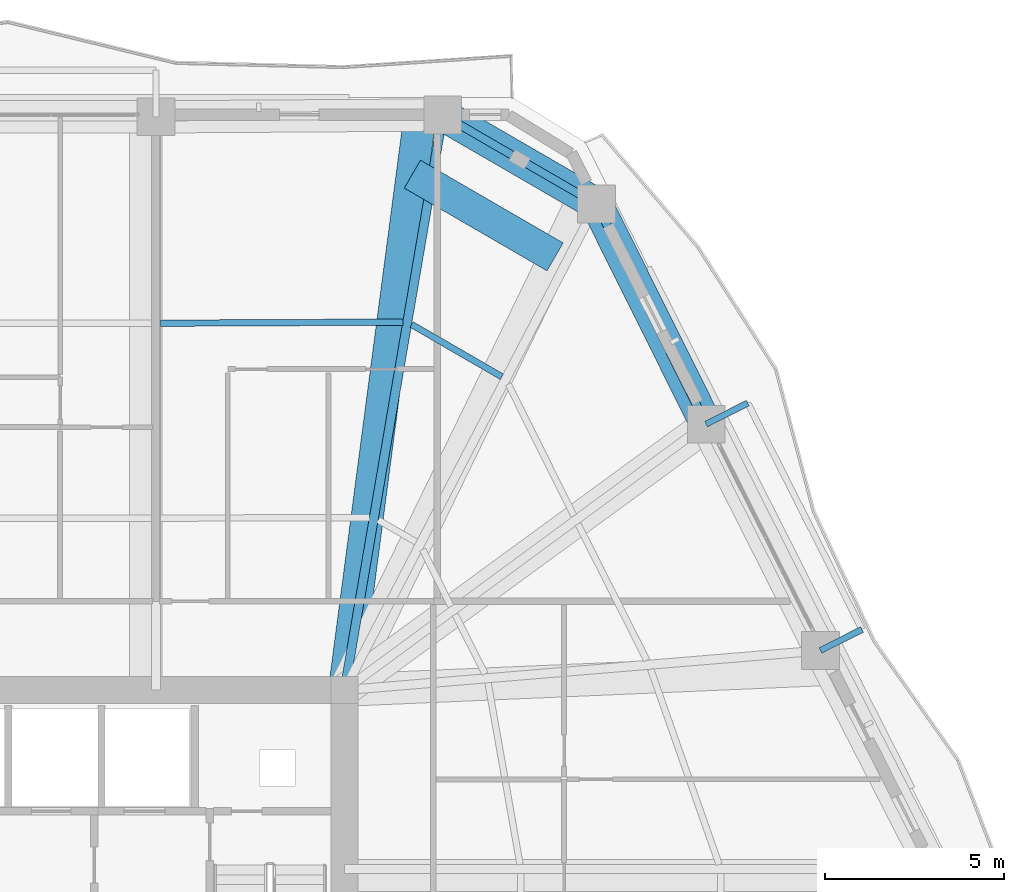
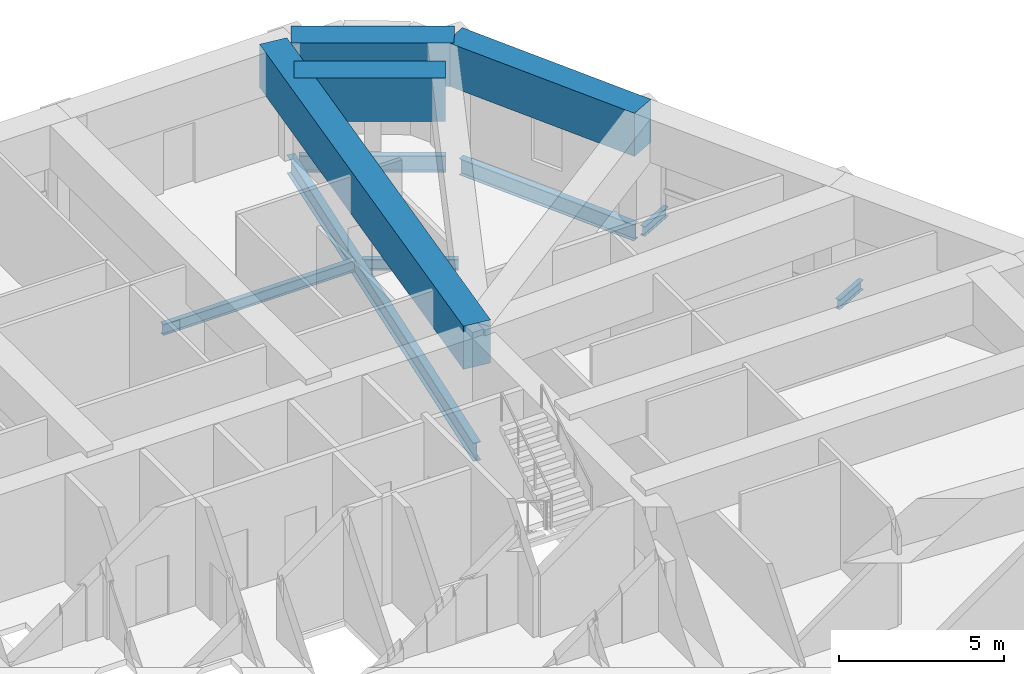
# One storey, part 11 of 23: 11 beams.
"""IFC4 building model written with IfcOpenShell, lengths in metres."""

import ifcopenshell
import ifcopenshell.guid

model = None  # the IFC model being written
_history = None  # IfcOwnerHistory: only IFC2X3 demands one
_inside = {}  # id of a spatial element -> (the spatial element, [elements in it])
_under = {}  # id of a project, library or spatial element -> (it, [spatial elements below it])
_declared = {}  # id of a project -> (the project, [libraries it declares])
_typed = {}  # id of a type object -> (the type object, [elements of that type])
_made_of = {}  # id of a material, layer set ... -> (it, [elements and type objects made of it])


def new_model(schema):
    """Start an empty IFC model of exactly this schema.

    Asked for "IFC4X3", IfcOpenShell would pick the latest addendum, in which some entities
    have other attributes; the version numbers below select the first issue.
    IFC2X3 requires an IfcOwnerHistory on every rooted entity: one is made here for all.
    """
    global model, _history
    if schema == "IFC4X3":
        model = ifcopenshell.file(schema_version=(4, 3, 0, 0))
    else:
        model = ifcopenshell.file(schema=schema)
    _inside.clear()
    _under.clear()
    _declared.clear()
    _typed.clear()
    _made_of.clear()
    _history = None
    if model.schema == "IFC2X3":
        org = make("IfcOrganization", Name="unknown")
        user = make(
            "IfcPersonAndOrganization",
            ThePerson=make("IfcPerson", FamilyName="unknown"),
            TheOrganization=org,
        )
        app = make(
            "IfcApplication",
            ApplicationDeveloper=org,
            Version="unknown",
            ApplicationFullName="unknown",
            ApplicationIdentifier="unknown",
        )
        _history = make(
            "IfcOwnerHistory",
            OwningUser=user,
            OwningApplication=app,
            ChangeAction="ADDED",
            CreationDate=0,
        )
    return model


def make(cls, **values):
    """One entity of the class cls with the attributes given. An attribute that is None is left unset."""
    return model.create_entity(
        cls, **{name: value for name, value in values.items() if value is not None}
    )


def rooted(cls, **values):
    """An entity with a GlobalId (a new one), such as an element, a storey or a relation."""
    return make(cls, GlobalId=ifcopenshell.guid.new(), OwnerHistory=_history, **values)


def si_unit(unit_type, name, prefix=None):
    """IfcSIUnit, for example si_unit("LENGTHUNIT", "METRE", prefix="MILLI")."""
    return make("IfcSIUnit", UnitType=unit_type, Prefix=prefix, Name=name)


def assignment(units):
    """IfcUnitAssignment: the units of a project."""
    return None if units is None else make("IfcUnitAssignment", Units=units)


def point(xyz):
    """IfcCartesianPoint."""
    return None if xyz is None else make("IfcCartesianPoint", Coordinates=xyz)


def direction(xyz):
    """IfcDirection."""
    return None if xyz is None else make("IfcDirection", DirectionRatios=xyz)


def frame(location, z_axis=None, x_axis=None):
    """IfcAxis2Placement3D, a coordinate frame: its origin and axes. An axis left out is left unset."""
    return make(
        "IfcAxis2Placement3D",
        Location=point(location),
        Axis=direction(z_axis),
        RefDirection=direction(x_axis),
    )


def frame_2d(location, x_axis=None):
    """IfcAxis2Placement2D, a coordinate frame in the plane: its origin and x axis."""
    return make(
        "IfcAxis2Placement2D", Location=point(location), RefDirection=direction(x_axis)
    )


def origin():
    """The frame at (0, 0, 0) with its axes left unset."""
    return frame((0.0, 0.0, 0.0))


def origin_2d():
    """The frame at (0, 0) in the plane with its x axis left unset."""
    return frame_2d((0.0, 0.0))


def place(relative_to, where):
    """IfcLocalPlacement: puts the frame where relative to a parent placement (None: the world)."""
    return make(
        "IfcLocalPlacement", PlacementRelTo=relative_to, RelativePlacement=where
    )


def context(
    kind, dimensions, precision=None, world=None, true_north=None, identifier=None
):
    """IfcGeometricRepresentationContext, for example the 3D "Model" context."""
    return make(
        "IfcGeometricRepresentationContext",
        ContextIdentifier=identifier,
        ContextType=kind,
        CoordinateSpaceDimension=dimensions,
        Precision=precision,
        WorldCoordinateSystem=world,
        TrueNorth=true_north,
    )


def subcontext(parent, identifier, kind, view, scale=None):
    """IfcGeometricRepresentationSubContext, for example "Body" below "Model"."""
    return make(
        "IfcGeometricRepresentationSubContext",
        ContextIdentifier=identifier,
        ContextType=kind,
        ParentContext=parent,
        TargetScale=scale,
        TargetView=view,
    )


def project(units=None, contexts=None):
    """IfcProject with its units and contexts."""
    return rooted(
        "IfcProject",
        Name="project",
        RepresentationContexts=contexts,
        UnitsInContext=assignment(units),
    )


def spatial(cls, under=None, at=None, **own):
    """A site, building, storey or space (cls), placed at a placement, below another one or the project."""
    s = rooted(cls, ObjectPlacement=at, **own)
    if under is not None:
        _under.setdefault(under.id(), (under, []))[1].append(s)
    return s


def profile(cls, at=None, kind="AREA", **sizes):
    """A parametric profile (cls). Its sizes go by their IFC names, for example OverallWidth=200.0."""
    return make(cls, ProfileType=kind, Position=at, **sizes)


def rectangle(**sizes):
    """IfcRectangleProfileDef."""
    return profile("IfcRectangleProfileDef", **sizes)


def i_section(**sizes):
    """IfcIShapeProfileDef."""
    return profile("IfcIShapeProfileDef", **sizes)


def extrude(swept, where, along, depth):
    """IfcExtrudedAreaSolid: the profile swept, set in the frame where, extruded along a direction by depth."""
    return make(
        "IfcExtrudedAreaSolid",
        SweptArea=swept,
        Position=where,
        ExtrudedDirection=direction(along),
        Depth=depth,
    )


def shape(context_of_items, identifier, shape_type, items):
    """IfcShapeRepresentation: the items that make up one representation, for example the "Body"."""
    return make(
        "IfcShapeRepresentation",
        ContextOfItems=context_of_items,
        RepresentationIdentifier=identifier,
        RepresentationType=shape_type,
        Items=items,
    )


def material(Name=None, Category=None):
    """IfcMaterial."""
    return make("IfcMaterial", Name=Name, Category=Category)


def material_profile(
    of_material, cross_section, Name=None, Category=None, Priority=None
):
    """IfcMaterialProfile: a cross section and its material."""
    return make(
        "IfcMaterialProfile",
        Name=Name,
        Material=of_material,
        Profile=cross_section,
        Priority=Priority,
        Category=Category,
    )


def profile_set(profiles, Name=None, composite=None):
    """IfcMaterialProfileSet."""
    return make(
        "IfcMaterialProfileSet",
        Name=Name,
        MaterialProfiles=profiles,
        CompositeProfile=composite,
    )


def made_of(thing, what):
    """Note that an element or type object is made of a material, layer set ...; save() writes the relation."""
    if what is not None:
        _made_of.setdefault(what.id(), (what, []))[1].append(thing)
    return thing


def type_object(cls, material=None, **own):
    """A type object (cls), such as IfcWallType, which elements share."""
    return made_of(rooted(cls, **own), material)


def element(
    cls,
    number,
    at=None,
    inside=None,
    cuts=None,
    type_object=None,
    material=None,
    context=None,
    identifier="Body",
    shape_type=None,
    held_by="IfcProductDefinitionShape",
    body=None,
    shapes=None,
    **own,
):
    """One element of the class cls, such as IfcWall. Its Tag is "e" and its number.

    at: its placement. inside: the storey or other place that contains it. cuts: it is an
    opening in that element (IfcRelVoidsElement). A single representation is given by context,
    identifier, shape_type and body (its items); several are given by shapes. held_by: the class
    of the entity that holds the representations. save() writes the other relations.
    """
    e = rooted(cls, Tag="e%d" % number, ObjectPlacement=at, **own)
    if body is not None:
        shapes = [shape(context, identifier, shape_type, body)]
    if shapes is not None:
        e.Representation = make(held_by, Representations=shapes)
    if inside is not None:
        _inside.setdefault(inside.id(), (inside, []))[1].append(e)
    if cuts is not None:
        rooted(
            "IfcRelVoidsElement", RelatingBuildingElement=cuts, RelatedOpeningElement=e
        )
    if type_object is not None:
        _typed.setdefault(type_object.id(), (type_object, []))[1].append(e)
    return made_of(e, material)


def aggregate(whole, parts):
    """IfcRelAggregates: a whole, such as a stair, and the parts it consists of."""
    return rooted("IfcRelAggregates", RelatingObject=whole, RelatedObjects=parts)


def save(model, path):
    """Write the relations noted so far, then the file.

    IfcRelAggregates (storeys below a building ...), IfcRelContainedInSpatialStructure (elements
    in a storey), IfcRelDefinesByType, IfcRelAssociatesMaterial and IfcRelDeclares: one each for
    every whole, place, type object, material and project.
    """
    for whole, parts in _under.values():
        aggregate(whole, parts)
    for where, things in _inside.values():
        rooted(
            "IfcRelContainedInSpatialStructure",
            RelatedElements=things,
            RelatingStructure=where,
        )
    for kind, things in _typed.values():
        rooted("IfcRelDefinesByType", RelatedObjects=things, RelatingType=kind)
    for what, things in _made_of.values():
        rooted("IfcRelAssociatesMaterial", RelatedObjects=things, RelatingMaterial=what)
    for by, libraries in _declared.values():
        rooted("IfcRelDeclares", RelatingContext=by, RelatedDefinitions=libraries)
    model.write(path)


model = new_model("IFC4")

# Units and contexts
model_context = context("Model", 3, precision=1e-05, world=origin(), true_north=direction((0.0, 1.0)))
body_context = subcontext(model_context, "Body", "Model", "MODEL_VIEW")
ifc_project = project(units=[si_unit("LENGTHUNIT", "METRE"), si_unit("AREAUNIT", "SQUARE_METRE"), si_unit("VOLUMEUNIT", "CUBIC_METRE"), si_unit("PLANEANGLEUNIT", "RADIAN"), si_unit("MASSUNIT", "GRAM", prefix="KILO")], contexts=[model_context])

# Site, building, storey
site_placement = place(None, origin())
site = spatial("IfcSite", under=ifc_project, at=site_placement, CompositionType="ELEMENT")
building_placement = place(site_placement, origin())
building = spatial("IfcBuilding", under=site, at=building_placement, Name="Cinnabar Lancet Tower", CompositionType="ELEMENT")
storey_placement = place(building_placement, frame((0.0, 0.0, 94.199951171875)))
storey = spatial("IfcBuildingStorey", under=building, at=storey_placement, Name="L24", CompositionType="ELEMENT", Elevation=94.199951171875)

# Beams
ifc_material_1 = material(Name="Concrete C70/85", Category="concrete")
ifc_material_profile_1 = material_profile(ifc_material_1, rectangle(XDim=0.89990234375, YDim=1.60009765625, at=origin_2d()), Name="RC-BG 900x1600")
ifc_profile_set_1 = profile_set([ifc_material_profile_1], Name="Concrete C70/85")
beam_type_1 = type_object("IfcBeamType", Name="STR-BM-BG-1600", PredefinedType="BEAM", material=ifc_profile_set_1)
beam_1_placement = place(storey_placement, frame((51.85888671875, 40.69091796875, 3.400146484375), z_axis=(-0.445802654818, 0.895131271355, 0.0), x_axis=(-0.895131271355, -0.445802654818, 0.0)))
element("IfcBeam", 1, at=beam_1_placement, inside=storey, type_object=beam_type_1, Name="L25 Setback Outer Ring Girder 11", PredefinedType="BEAM", context=body_context, shape_type="SweptSolid", body=[
    extrude(rectangle(XDim=0.89990234375, YDim=1.60009765625, at=origin_2d()), origin(), (0.0, 0.0, 1.0), 6.854736328125),
])
beam_2_placement = place(storey_placement, frame((48.802978515625, 46.826904296875, 3.400146484375), z_axis=(-0.865178737992, 0.501463609175, 0.0), x_axis=(-0.501463609175, -0.865178737992, 0.0)))
element("IfcBeam", 2, at=beam_2_placement, inside=storey, type_object=beam_type_1, Name="L25 Setback Outer Ring Girder 12", PredefinedType="BEAM", context=body_context, shape_type="SweptSolid", body=[
    extrude(rectangle(XDim=0.89990234375, YDim=1.60009765625, at=origin_2d()), origin(), (0.0, 0.0, 1.0), 4.953857421875),
])
beam_3_placement = place(storey_placement, frame((43.884033203125, 49.291015625, 3.400146484375), z_axis=(-0.13056084779, -0.991440298265, 0.0), x_axis=(0.991440298265, -0.13056084779, 0.0)))
element("IfcBeam", 3, at=beam_3_placement, inside=storey, type_object=beam_type_1, Name="L25 Setback Continuous Radial Transfer Girder 13", PredefinedType="BEAM", context=body_context, shape_type="SweptSolid", body=[
    extrude(rectangle(XDim=0.89990234375, YDim=1.60009765625, at=origin_2d()), origin(), (0.0, 0.0, 1.0), 16.154296875),
])
beam_4_placement = place(storey_placement, frame((47.64892578125, 45.35400390625, 3.400146484375), z_axis=(-0.865173038967, 0.501473441614, 0.0), x_axis=(-0.501473441614, -0.865173038967, 0.0)))
element("IfcBeam", 4, at=beam_4_placement, inside=storey, type_object=beam_type_1, Name="L25 Setback Pilaster Transfer Chord 4", PredefinedType="BEAM", context=body_context, shape_type="SweptSolid", body=[
    extrude(rectangle(XDim=0.89990234375, YDim=1.60009765625, at=origin_2d()), origin(), (0.0, 0.0, 1.0), 4.60009765625),
])
ifc_material_2 = material(Name="Structural steel S355", Category="steel")
ifc_material_profile_2 = material_profile(ifc_material_2, i_section(OverallWidth=0.177978515625, OverallDepth=0.406494140625, WebThickness=0.0078125, FlangeThickness=0.0126953125, FilletRadius=0.01025390625, at=origin_2d()), Name="UKB 406x178x60")
ifc_profile_set_2 = profile_set([ifc_material_profile_2], Name="Structural steel S355")
beam_type_2 = type_object("IfcBeamType", Name="STR-BM-JST-406", PredefinedType="JOIST", material=ifc_profile_set_2)
beam_5_placement = place(storey_placement, frame((46.1630859375, 42.011962890625, -0.4228515625), z_axis=(-0.865230791262, 0.501373790551, 0.0), x_axis=(-0.501373790551, -0.865230791262, 0.0)))
element("IfcBeam", 5, at=beam_5_placement, inside=storey, type_object=beam_type_2, Name="L24 Secondary Floor Joist 31", PredefinedType="JOIST", context=body_context, shape_type="SweptSolid", body=[
    extrude(i_section(OverallWidth=0.177978515625, OverallDepth=0.406494140625, WebThickness=0.0078125, FlangeThickness=0.0126953125, FilletRadius=0.01025390625, at=origin_2d()), origin(), (0.0, 0.0, 1.0), 2.907958984375),
])
beam_6_placement = place(storey_placement, frame((43.40087890625, 43.537109375, -0.4228515625), z_axis=(-0.99998860979, -0.004772870136, 0.0), x_axis=(0.004772870136, -0.99998860979, 0.0)))
element("IfcBeam", 6, at=beam_6_placement, inside=storey, type_object=beam_type_2, Name="L24 Secondary Floor Joist 33", PredefinedType="JOIST", context=body_context, shape_type="SweptSolid", body=[
    extrude(i_section(OverallWidth=0.177978515625, OverallDepth=0.406494140625, WebThickness=0.0078125, FlangeThickness=0.0126953125, FilletRadius=0.01025390625, at=origin_2d()), origin(), (0.0, 0.0, 1.0), 6.751953125),
])
ifc_material_3 = material(Name="Structural steel S355", Category="steel")
ifc_material_profile_3 = material_profile(ifc_material_3, i_section(OverallWidth=0.228271484375, OverallDepth=0.607666015625, WebThickness=0.010986328125, FlangeThickness=0.017333984375, FilletRadius=0.0126953125, at=origin_2d()), Name="UKB 610x229x113")
ifc_profile_set_3 = profile_set([ifc_material_profile_3], Name="Structural steel S355")
beam_type_3 = type_object("IfcBeamType", Name="STR-BM-SPN-610", PredefinedType="SPANDREL", material=ifc_profile_set_3)
beam_7_placement = place(storey_placement, frame((51.748046875, 40.9150390625, -0.52392578125), z_axis=(-0.445953050023, 0.89505635419, 0.0), x_axis=(-0.89505635419, -0.445953050023, 0.0)))
element("IfcBeam", 7, at=beam_7_placement, inside=storey, type_object=beam_type_3, Name="L24 Perimeter Spandrel 11", PredefinedType="SPANDREL", context=body_context, shape_type="SweptSolid", body=[
    extrude(i_section(OverallWidth=0.228271484375, OverallDepth=0.607666015625, WebThickness=0.010986328125, FlangeThickness=0.017333984375, FilletRadius=0.0126953125, at=origin_2d()), origin(), (0.0, 0.0, 1.0), 6.35498046875),
])
beam_8_placement = place(storey_placement, frame((48.5869140625, 46.951904296875, -0.52392578125), z_axis=(-0.865147238596, 0.501517951374, 0.0), x_axis=(-0.501517951374, -0.865147238596, 0.0)))
element("IfcBeam", 8, at=beam_8_placement, inside=storey, type_object=beam_type_3, Name="L24 Perimeter Spandrel 12", PredefinedType="SPANDREL", context=body_context, shape_type="SweptSolid", body=[
    extrude(i_section(OverallWidth=0.228271484375, OverallDepth=0.607666015625, WebThickness=0.010986328125, FlangeThickness=0.017333984375, FilletRadius=0.0126953125, at=origin_2d()), origin(), (0.0, 0.0, 1.0), 4.454833984375),
])
ifc_material_4 = material(Name="Structural steel S355", Category="steel")
ifc_material_profile_4 = material_profile(ifc_material_4, i_section(OverallWidth=0.253662109375, OverallDepth=0.68359375, WebThickness=0.012451171875, FlangeThickness=0.01904296875, FilletRadius=0.01513671875, at=origin_2d()), Name="UKB 686x254x140")
ifc_profile_set_4 = profile_set([ifc_material_profile_4], Name="Structural steel S355")
beam_type_4 = type_object("IfcBeamType", Name="STR-BM-UKB686-140", PredefinedType="BEAM", material=ifc_profile_set_4)
beam_9_placement = place(storey_placement, frame((44.51708984375, 49.31103515625, -0.56201171875), z_axis=(-0.168553945835, -0.985692430398, 0.0), x_axis=(0.985692430398, -0.168553945835, 0.0)))
element("IfcBeam", 9, at=beam_9_placement, inside=storey, type_object=beam_type_4, Name="L24 Primary Floor Girder 13", PredefinedType="BEAM", context=body_context, shape_type="SweptSolid", body=[
    extrude(i_section(OverallWidth=0.253662109375, OverallDepth=0.68359375, WebThickness=0.012451171875, FlangeThickness=0.01904296875, FilletRadius=0.01513671875, at=origin_2d()), origin(), (0.0, 0.0, 1.0), 16.268798828125),
])
ifc_material_5 = material(Name="Structural steel S355", Category="steel")
ifc_material_profile_5 = material_profile(ifc_material_5, i_section(OverallWidth=0.17138671875, OverallDepth=0.35498046875, WebThickness=0.00732421875, FlangeThickness=0.011474609375, FilletRadius=0.01025390625, at=origin_2d()), Name="UKB 356x171x51")
ifc_profile_set_5 = profile_set([ifc_material_profile_5], Name="Structural steel S355")
beam_type_5 = type_object("IfcBeamType", Name="STR-BM-WAV-OUT", PredefinedType="BEAM", material=ifc_profile_set_5)
for number, where, z_axis, x_axis, name in (
    (10, (55.0458984375, 34.3798828125, -0.41796875), (0.892238560088, 0.451564338597, 0.0), (-0.451564338597, 0.892238560088, 0.0), "L24 Face 3 Balcony Outlooker A"),
    (11, (51.85888671875, 40.69091796875, -0.41796875), (0.892238560088, 0.451564338597, 0.0), (-0.451564338597, 0.892238560088, 0.0), "L24 Face 3 Balcony Outlooker B"),
):
    element("IfcBeam", number, at=place(storey_placement, frame(where, z_axis=z_axis, x_axis=x_axis)), inside=storey, type_object=beam_type_5, Name=name, PredefinedType="BEAM", context=body_context, shape_type="SweptSolid", body=[
        extrude(i_section(OverallWidth=0.17138671875, OverallDepth=0.35498046875, WebThickness=0.00732421875, FlangeThickness=0.011474609375, FilletRadius=0.01025390625, at=origin_2d()), origin(), (0.0, 0.0, 1.0), 1.30029296875),
    ])

save(model, "model.ifc")
